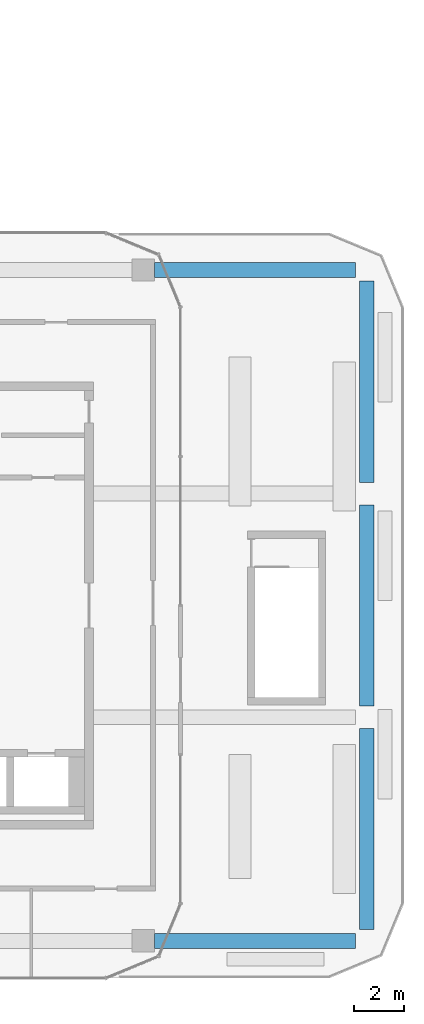
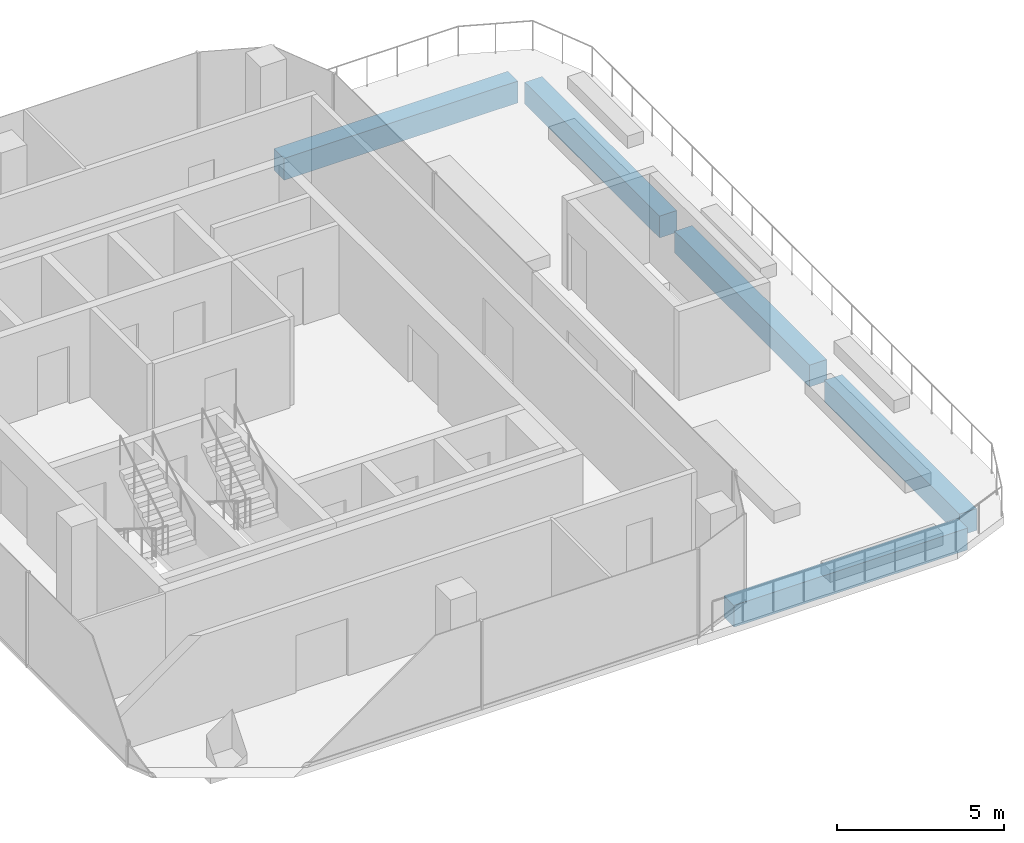
# One storey, part 10 of 22: 5 beams.
"""IFC4 building model written with IfcOpenShell, lengths in metres."""

from ifc_helpers import new_model, si_unit, direction, frame, origin, origin_2d, place, context, subcontext, project, spatial, rectangle, extrude, material, material_profile, profile_set, type_object, element, save


model = new_model("IFC4")

# Units and contexts
model_context = context("Model", 3, precision=1e-05, world=origin(), true_north=direction((0.0, 1.0)))
body_context = subcontext(model_context, "Body", "Model", "MODEL_VIEW")
ifc_project = project(units=[si_unit("LENGTHUNIT", "METRE"), si_unit("AREAUNIT", "SQUARE_METRE"), si_unit("VOLUMEUNIT", "CUBIC_METRE"), si_unit("PLANEANGLEUNIT", "RADIAN"), si_unit("MASSUNIT", "GRAM", prefix="KILO")], contexts=[model_context])

# Site, building, storey
site_placement = place(None, origin())
site = spatial("IfcSite", under=ifc_project, at=site_placement, CompositionType="ELEMENT")
building_placement = place(site_placement, origin())
building = spatial("IfcBuilding", under=site, at=building_placement, Name="Plateau Cross Towers", CompositionType="ELEMENT")
storey_placement = place(building_placement, frame((0.0, 0.0, 116.800048828125)))
storey = spatial("IfcBuildingStorey", under=building, at=storey_placement, Name="L30", CompositionType="ELEMENT", Elevation=116.800048828125)

# Beams
ifc_material = material(Name="Concrete C60/75", Category="concrete")
ifc_material_profile = material_profile(ifc_material, rectangle(XDim=0.60009765625, YDim=0.800048828125, at=origin_2d()), Name="RC 600x800")
ifc_profile_set = profile_set([ifc_material_profile], Name="Concrete C60/75")
beam_type = type_object("IfcBeamType", Name="Ring beam RC 600x800", PredefinedType="BEAM", material=ifc_profile_set)
for number, where, z_axis, x_axis, name in (
    (1, (91.949951171875, -4.5, -0.650146484375), (1.0, 0.0, 0.0), (0.0, 1.0, 0.0), "B-RB02@L30"),
    (2, (100.5, -4.050048828125, -0.650146484375), (0.0, 1.0, 0.0), (-1.0, 0.0, 0.0), "B-RB03@L30"),
    (3, (100.5, 4.949951171875, -0.650146484375), (0.0, 1.0, 0.0), (-1.0, 0.0, 0.0), "B-RB04@L30"),
    (4, (100.5, 13.949951171875, -0.650146484375), (0.0, 1.0, 0.0), (-1.0, 0.0, 0.0), "B-RB05@L30"),
    (5, (100.050048828125, 22.5, -0.650146484375), (-1.0, 0.0, 0.0), (0.0, -1.0, 0.0), "B-RB06@L30"),
):
    element("IfcBeam", number, at=place(storey_placement, frame(where, z_axis=z_axis, x_axis=x_axis)), inside=storey, type_object=beam_type, Name=name, PredefinedType="BEAM", context=body_context, shape_type="SweptSolid", body=[
        extrude(rectangle(XDim=0.60009765625, YDim=0.800048828125, at=origin_2d()), origin(), (0.0, 0.0, 1.0), 8.10009765625),
    ])

save(model, "model.ifc")
